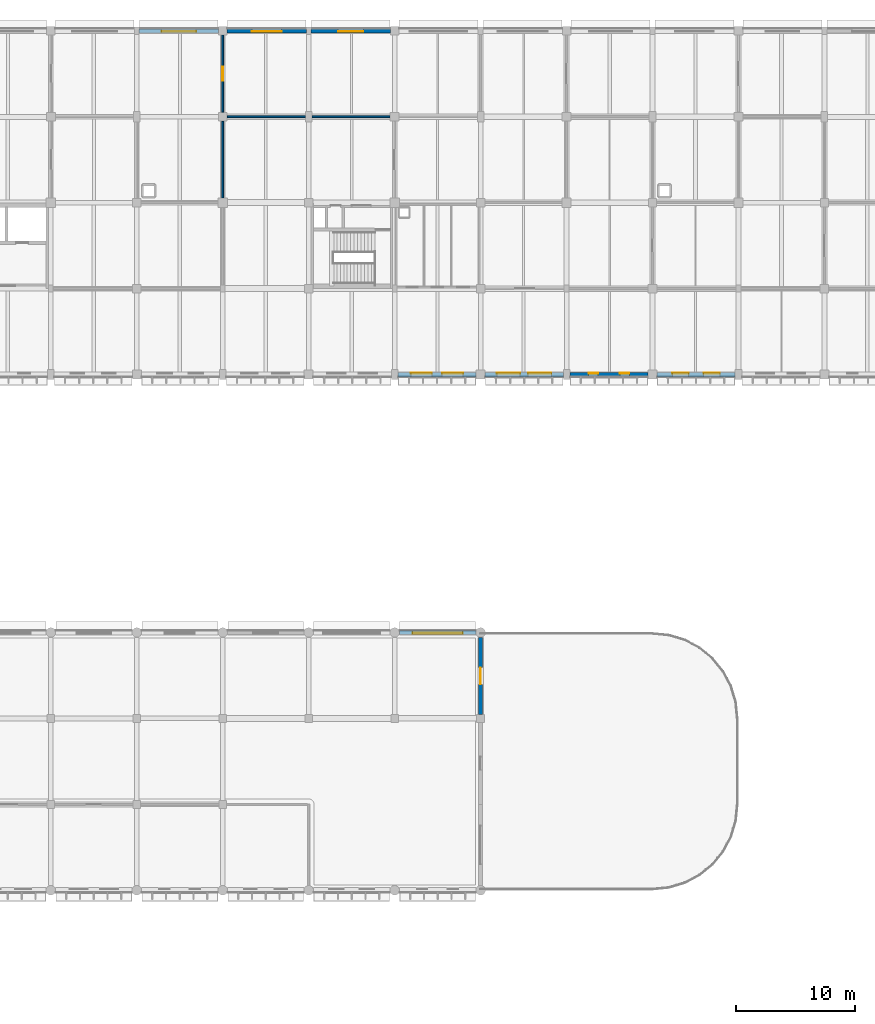
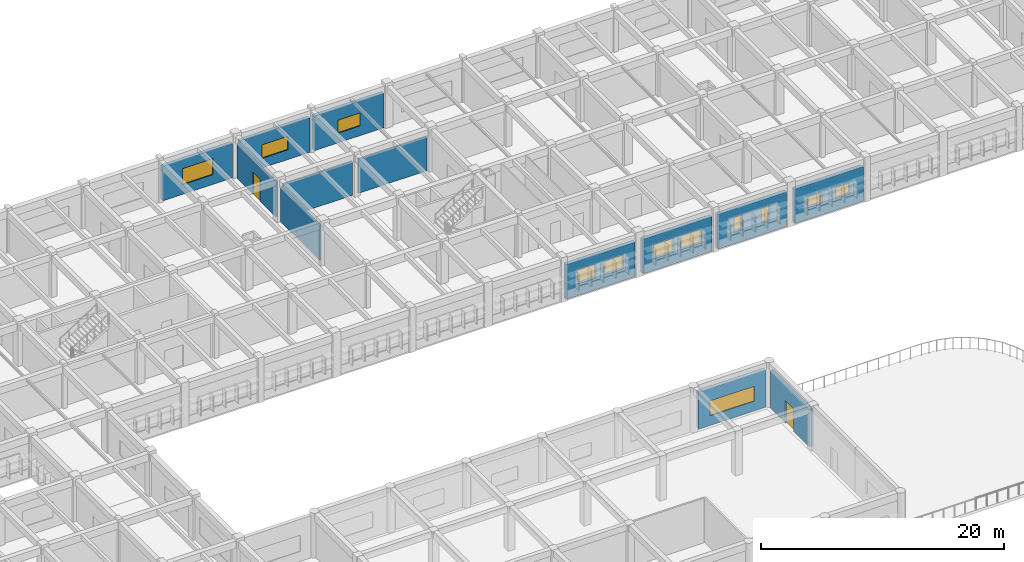
# One storey, part 46 of 61: 13 walls, 12 windows, 2 doors, 14 openings.
"""IFC4 building model written with IfcOpenShell, lengths in metres."""

from ifc_helpers import new_model, si_unit, direction, frame, frame_2d, origin, place, context, subcontext, project, spatial, rectangle, extrude, material, layer, layer_set, type_object, element, fill, save


model = new_model("IFC4")

# Units and contexts
model_context = context("Model", 3, precision=1e-05, world=origin(), true_north=direction((0.0, 1.0)))
body_context = subcontext(model_context, "Body", "Model", "MODEL_VIEW")
ifc_project = project(units=[si_unit("LENGTHUNIT", "METRE"), si_unit("AREAUNIT", "SQUARE_METRE"), si_unit("VOLUMEUNIT", "CUBIC_METRE"), si_unit("PLANEANGLEUNIT", "RADIAN"), si_unit("MASSUNIT", "GRAM", prefix="KILO")], contexts=[model_context])

# Site, building, storey
site_placement = place(None, origin())
site = spatial("IfcSite", under=ifc_project, at=site_placement, CompositionType="ELEMENT")
building_placement = place(site_placement, origin())
building = spatial("IfcBuilding", under=site, at=building_placement, Name="Thalmaran Polytechnic", CompositionType="ELEMENT")
storey_placement = place(building_placement, frame((0.0, 0.0, 9.89990234375)))
storey = spatial("IfcBuildingStorey", under=building, at=storey_placement, Name="L02", CompositionType="ELEMENT", Elevation=9.89990234375)

# Wall, openings, windows
ifc_material_1 = material(Name="Precast concrete C40/50", Category="concrete")
ifc_layer_1 = layer(ifc_material_1, 0.360107421875, Name="Precast concrete C40/50")
ifc_layer_set_1 = layer_set([ifc_layer_1], Name="Precast concrete C40/50")
wall_type_1 = type_object("IfcWallType", Name="WL-EW01", PredefinedType="STANDARD", material=ifc_layer_set_1)
wall_1_placement = place(storey_placement, frame((93.324951171875, 93.60009765625, 0.0), z_axis=(0.0, 0.0, 1.0), x_axis=(-1.0, 0.0, 0.0)))
wall_1 = element("IfcWall", 1, at=wall_1_placement, inside=storey, type_object=wall_type_1, Name="Exterior Precast Facade Wall L02-099", PredefinedType="STANDARD", context=body_context, shape_type="SweptSolid", body=[
    extrude(rectangle(XDim=6.550048828125, YDim=0.360107421875, at=frame_2d((3.27490234375, 0.0))), origin(), (0.0, 0.0, 1.0), 3.47021484375),
])
opening_1_placement = place(wall_1_placement, frame((1.2900390625, 0.0, 1.14990234375)))
opening_1 = element("IfcOpeningElement", 2, at=opening_1_placement, cuts=wall_1, Name="Opening PW15", PredefinedType="OPENING", context=body_context, shape_type="SweptSolid", body=[
    extrude(rectangle(XDim=1.35009765625, YDim=1.10009765625, at=frame_2d((0.675048828125, 0.550048828125))), frame((0.0, 0.18994140625, 0.0), z_axis=(0.0, -1.0, 0.0), x_axis=(1.0, 0.0, 0.0)), (0.0, 0.0, 1.0), 0.380126953125),
])
opening_2_placement = place(wall_1_placement, frame((3.909912109375, 0.0, 1.14990234375)))
opening_2 = element("IfcOpeningElement", 3, at=opening_2_placement, cuts=wall_1, Name="Opening PW15", PredefinedType="OPENING", context=body_context, shape_type="SweptSolid", body=[
    extrude(rectangle(XDim=1.35009765625, YDim=1.10009765625, at=frame_2d((0.675048828125, 0.550048828125))), frame((0.0, 0.18994140625, 0.0), z_axis=(0.0, -1.0, 0.0), x_axis=(1.0, 0.0, 0.0)), (0.0, 0.0, 1.0), 0.380126953125),
])
ifc_material_2 = material(Name="Thermally broken aluminium and double low-E glass", Category="aluminium")
window_type_1 = type_object("IfcWindowType", Name="WN-PW05", PartitioningType="SINGLE_PANEL", PredefinedType="WINDOW", material=ifc_material_2)
window_1_placement = place(opening_1_placement, origin())
window_1 = element("IfcWindow", 4, at=window_1_placement, inside=storey, type_object=window_type_1, Name="Deep-Set Solar-Screened Window W-0298", OverallHeight=1.10009765625, OverallWidth=1.35009765625, PartitioningType="SINGLE_PANEL", PredefinedType="WINDOW", context=body_context, shape_type="SweptSolid", body=[
    extrude(rectangle(XDim=1.35009765625, YDim=1.10009765625, at=frame_2d((0.675048828125, 0.550048828125))), frame((0.0, -0.080078125, 0.0), z_axis=(0.0, -1.0, 0.0), x_axis=(1.0, 0.0, 0.0)), (0.0, 0.0, 1.0), 0.06005859375),
])
fill(opening_1, window_1)
window_2_placement = place(opening_2_placement, origin())
window_2 = element("IfcWindow", 5, at=window_2_placement, inside=storey, type_object=window_type_1, Name="Deep-Set Solar-Screened Window W-0299", OverallHeight=1.10009765625, OverallWidth=1.35009765625, PartitioningType="SINGLE_PANEL", PredefinedType="WINDOW", context=body_context, shape_type="SweptSolid", body=[
    extrude(rectangle(XDim=1.35009765625, YDim=1.10009765625, at=frame_2d((0.675048828125, 0.550048828125))), frame((0.0, -0.080078125, 0.0), z_axis=(0.0, -1.0, 0.0), x_axis=(1.0, 0.0, 0.0)), (0.0, 0.0, 1.0), 0.06005859375),
])
fill(opening_2, window_2)

wall_2_placement = place(storey_placement, frame((86.02490234375, 93.60009765625, 0.0), z_axis=(0.0, 0.0, 1.0), x_axis=(-1.0, 0.0, 0.0)))
wall_2 = element("IfcWall", 6, at=wall_2_placement, inside=storey, type_object=wall_type_1, Name="Exterior Precast Facade Wall L02-100", PredefinedType="STANDARD", context=body_context, shape_type="SweptSolid", body=[
    extrude(rectangle(XDim=6.5498046875, YDim=0.360107421875, at=frame_2d((3.27490234375, 0.0))), origin(), (0.0, 0.0, 1.0), 3.47021484375),
])
opening_3_placement = place(wall_2_placement, frame((1.56494140625, 0.0, 1.14990234375)))
opening_3 = element("IfcOpeningElement", 7, at=opening_3_placement, cuts=wall_2, Name="Opening PW16", PredefinedType="OPENING", context=body_context, shape_type="SweptSolid", body=[
    extrude(rectangle(XDim=0.800048828125, YDim=1.5, at=frame_2d((0.39990234375, 0.75))), frame((0.0, 0.18994140625, 0.0), z_axis=(0.0, -1.0, 0.0), x_axis=(1.0, 0.0, 0.0)), (0.0, 0.0, 1.0), 0.380126953125),
])
opening_4_placement = place(wall_2_placement, frame((4.18505859375, 0.0, 1.14990234375)))
opening_4 = element("IfcOpeningElement", 8, at=opening_4_placement, cuts=wall_2, Name="Opening PW16", PredefinedType="OPENING", context=body_context, shape_type="SweptSolid", body=[
    extrude(rectangle(XDim=0.800048828125, YDim=1.5, at=frame_2d((0.39990234375, 0.75))), frame((0.0, 0.18994140625, 0.0), z_axis=(0.0, -1.0, 0.0), x_axis=(1.0, 0.0, 0.0)), (0.0, 0.0, 1.0), 0.380126953125),
])
window_type_2 = type_object("IfcWindowType", Name="WN-PW06", PartitioningType="SINGLE_PANEL", PredefinedType="WINDOW", material=ifc_material_2)
window_3_placement = place(opening_3_placement, origin())
window_3 = element("IfcWindow", 9, at=window_3_placement, inside=storey, type_object=window_type_2, Name="Deep-Set Solar-Screened Window W-0300", OverallHeight=1.5, OverallWidth=0.800048828125, PartitioningType="SINGLE_PANEL", PredefinedType="WINDOW", context=body_context, shape_type="SweptSolid", body=[
    extrude(rectangle(XDim=0.800048828125, YDim=1.5, at=frame_2d((0.39990234375, 0.75))), frame((0.0, -0.080078125, 0.0), z_axis=(0.0, -1.0, 0.0), x_axis=(1.0, 0.0, 0.0)), (0.0, 0.0, 1.0), 0.06005859375),
])
fill(opening_3, window_3)
window_4_placement = place(opening_4_placement, origin())
window_4 = element("IfcWindow", 10, at=window_4_placement, inside=storey, type_object=window_type_2, Name="Deep-Set Solar-Screened Window W-0301", OverallHeight=1.5, OverallWidth=0.800048828125, PartitioningType="SINGLE_PANEL", PredefinedType="WINDOW", context=body_context, shape_type="SweptSolid", body=[
    extrude(rectangle(XDim=0.800048828125, YDim=1.5, at=frame_2d((0.39990234375, 0.75))), frame((0.0, -0.080078125, 0.0), z_axis=(0.0, -1.0, 0.0), x_axis=(1.0, 0.0, 0.0)), (0.0, 0.0, 1.0), 0.06005859375),
])
fill(opening_4, window_4)

wall_3_placement = place(storey_placement, frame((78.925048828125, 93.60009765625, 0.0), z_axis=(0.0, 0.0, 1.0), x_axis=(-1.0, 0.0, 0.0)))
wall_3 = element("IfcWall", 11, at=wall_3_placement, inside=storey, type_object=wall_type_1, Name="Exterior Precast Facade Wall L02-101", PredefinedType="STANDARD", context=body_context, shape_type="SweptSolid", body=[
    extrude(rectangle(XDim=6.550048828125, YDim=0.360107421875, at=frame_2d((3.27490234375, 0.0))), origin(), (0.0, 0.0, 1.0), 3.47021484375),
])
opening_5_placement = place(wall_3_placement, frame((0.989990234375, 0.0, 1.14990234375)))
opening_5 = element("IfcOpeningElement", 12, at=opening_5_placement, cuts=wall_3, Name="Opening VW07", PredefinedType="OPENING", context=body_context, shape_type="SweptSolid", body=[
    extrude(rectangle(XDim=1.949951171875, YDim=1.39990234375, at=frame_2d((0.97509765625, 0.699951171875))), frame((0.0, 0.18994140625, 0.0), z_axis=(0.0, -1.0, 0.0), x_axis=(1.0, 0.0, 0.0)), (0.0, 0.0, 1.0), 0.380126953125),
])
opening_6_placement = place(wall_3_placement, frame((3.610107421875, 0.0, 1.14990234375)))
opening_6 = element("IfcOpeningElement", 13, at=opening_6_placement, cuts=wall_3, Name="Opening VW07", PredefinedType="OPENING", context=body_context, shape_type="SweptSolid", body=[
    extrude(rectangle(XDim=1.949951171875, YDim=1.39990234375, at=frame_2d((0.97509765625, 0.699951171875))), frame((0.0, 0.18994140625, 0.0), z_axis=(0.0, -1.0, 0.0), x_axis=(1.0, 0.0, 0.0)), (0.0, 0.0, 1.0), 0.380126953125),
])
window_type_3 = type_object("IfcWindowType", Name="WN-VZ07", PartitioningType="SINGLE_PANEL", PredefinedType="WINDOW", material=ifc_material_2)
window_5_placement = place(opening_5_placement, origin())
window_5 = element("IfcWindow", 14, at=window_5_placement, inside=storey, type_object=window_type_3, Name="Deep-Set Solar-Screened Window W-0302", OverallHeight=1.39990234375, OverallWidth=1.949951171875, PartitioningType="SINGLE_PANEL", PredefinedType="WINDOW", context=body_context, shape_type="SweptSolid", body=[
    extrude(rectangle(XDim=1.949951171875, YDim=1.39990234375, at=frame_2d((0.97509765625, 0.699951171875))), frame((0.0, -0.080078125, 0.0), z_axis=(0.0, -1.0, 0.0), x_axis=(1.0, 0.0, 0.0)), (0.0, 0.0, 1.0), 0.06005859375),
])
fill(opening_5, window_5)
window_6_placement = place(opening_6_placement, origin())
window_6 = element("IfcWindow", 15, at=window_6_placement, inside=storey, type_object=window_type_3, Name="Deep-Set Solar-Screened Window W-0303", OverallHeight=1.39990234375, OverallWidth=1.949951171875, PartitioningType="SINGLE_PANEL", PredefinedType="WINDOW", context=body_context, shape_type="SweptSolid", body=[
    extrude(rectangle(XDim=1.949951171875, YDim=1.39990234375, at=frame_2d((0.97509765625, 0.699951171875))), frame((0.0, -0.080078125, 0.0), z_axis=(0.0, -1.0, 0.0), x_axis=(1.0, 0.0, 0.0)), (0.0, 0.0, 1.0), 0.06005859375),
])
fill(opening_6, window_6)

wall_4_placement = place(storey_placement, frame((71.625, 93.60009765625, 0.0), z_axis=(0.0, 0.0, 1.0), x_axis=(-1.0, 0.0, 0.0)))
wall_4 = element("IfcWall", 16, at=wall_4_placement, inside=storey, type_object=wall_type_1, Name="Exterior Precast Facade Wall L02-102", PredefinedType="STANDARD", context=body_context, shape_type="SweptSolid", body=[
    extrude(rectangle(XDim=6.550048828125, YDim=0.360107421875, at=frame_2d((3.27490234375, 0.0))), origin(), (0.0, 0.0, 1.0), 3.47021484375),
])
opening_7_placement = place(wall_4_placement, frame((1.090087890625, 0.0, 1.14990234375)))
opening_7 = element("IfcOpeningElement", 17, at=opening_7_placement, cuts=wall_4, Name="Opening VW08", PredefinedType="OPENING", context=body_context, shape_type="SweptSolid", body=[
    extrude(rectangle(XDim=1.75, YDim=1.39990234375, at=frame_2d((0.875, 0.699951171875))), frame((0.0, 0.18994140625, 0.0), z_axis=(0.0, -1.0, 0.0), x_axis=(1.0, 0.0, 0.0)), (0.0, 0.0, 1.0), 0.380126953125),
])
opening_8_placement = place(wall_4_placement, frame((3.7099609375, 0.0, 1.14990234375)))
opening_8 = element("IfcOpeningElement", 18, at=opening_8_placement, cuts=wall_4, Name="Opening VW08", PredefinedType="OPENING", context=body_context, shape_type="SweptSolid", body=[
    extrude(rectangle(XDim=1.75, YDim=1.39990234375, at=frame_2d((0.875, 0.699951171875))), frame((0.0, 0.18994140625, 0.0), z_axis=(0.0, -1.0, 0.0), x_axis=(1.0, 0.0, 0.0)), (0.0, 0.0, 1.0), 0.380126953125),
])
window_type_4 = type_object("IfcWindowType", Name="WN-VZ08", PartitioningType="SINGLE_PANEL", PredefinedType="WINDOW", material=ifc_material_2)
window_7_placement = place(opening_7_placement, origin())
window_7 = element("IfcWindow", 19, at=window_7_placement, inside=storey, type_object=window_type_4, Name="Deep-Set Solar-Screened Window W-0304", OverallHeight=1.39990234375, OverallWidth=1.75, PartitioningType="SINGLE_PANEL", PredefinedType="WINDOW", context=body_context, shape_type="SweptSolid", body=[
    extrude(rectangle(XDim=1.75, YDim=1.39990234375, at=frame_2d((0.875, 0.699951171875))), frame((0.0, -0.080078125, 0.0), z_axis=(0.0, -1.0, 0.0), x_axis=(1.0, 0.0, 0.0)), (0.0, 0.0, 1.0), 0.06005859375),
])
fill(opening_7, window_7)
window_8_placement = place(opening_8_placement, origin())
window_8 = element("IfcWindow", 20, at=window_8_placement, inside=storey, type_object=window_type_4, Name="Deep-Set Solar-Screened Window W-0305", OverallHeight=1.39990234375, OverallWidth=1.75, PartitioningType="SINGLE_PANEL", PredefinedType="WINDOW", context=body_context, shape_type="SweptSolid", body=[
    extrude(rectangle(XDim=1.75, YDim=1.39990234375, at=frame_2d((0.875, 0.699951171875))), frame((0.0, -0.080078125, 0.0), z_axis=(0.0, -1.0, 0.0), x_axis=(1.0, 0.0, 0.0)), (0.0, 0.0, 1.0), 0.06005859375),
])
fill(opening_8, window_8)

# Wall, opening, window
ifc_layer_2 = layer(ifc_material_1, 0.330078125, Name="Precast concrete C40/50")
ifc_layer_set_2 = layer_set([ifc_layer_2], Name="Precast concrete C40/50")
wall_type_2 = type_object("IfcWallType", Name="WL-EW02", PredefinedType="STANDARD", material=ifc_layer_set_2)
wall_5_placement = place(storey_placement, frame((43.39990234375, 122.39990234375, 0.0), z_axis=(0.0, 0.0, 1.0), x_axis=(1.0, 0.0, 0.0)))
wall_5 = element("IfcWall", 21, at=wall_5_placement, inside=storey, type_object=wall_type_2, Name="Exterior Precast Facade Wall L02-034", PredefinedType="STANDARD", context=body_context, shape_type="SweptSolid", body=[
    extrude(rectangle(XDim=6.64013671875, YDim=0.330078125, at=frame_2d((3.320068359375, 0.0))), origin(), (0.0, 0.0, 1.0), 3.47021484375),
])
opening_9_placement = place(wall_5_placement, frame((1.8701171875, 0.0, 0.97998046875)))
opening_9 = element("IfcOpeningElement", 22, at=opening_9_placement, cuts=wall_5, Name="Opening VW18", PredefinedType="OPENING", context=body_context, shape_type="SweptSolid", body=[
    extrude(rectangle(XDim=2.89990234375, YDim=1.60009765625, at=frame_2d((1.449951171875, 0.800048828125))), frame((0.0, 0.175048828125, 0.0), z_axis=(0.0, -1.0, 0.0), x_axis=(1.0, 0.0, 0.0)), (0.0, 0.0, 1.0), 0.35009765625),
])
window_type_5 = type_object("IfcWindowType", Name="WN-VZ18", PartitioningType="DOUBLE_PANEL_VERTICAL", PredefinedType="WINDOW", material=ifc_material_2)
window_9_placement = place(opening_9_placement, origin())
window_9 = element("IfcWindow", 23, at=window_9_placement, inside=storey, type_object=window_type_5, Name="Streamline Ribbon Window W-0234", OverallHeight=1.60009765625, OverallWidth=2.89990234375, PartitioningType="SINGLE_PANEL", PredefinedType="WINDOW", context=body_context, shape_type="SweptSolid", body=[
    extrude(rectangle(XDim=2.89990234375, YDim=1.60009765625, at=frame_2d((1.449951171875, 0.800048828125))), frame((0.0, -0.030029296875, 0.0), z_axis=(0.0, -1.0, 0.0), x_axis=(1.0, 0.0, 0.0)), (0.0, 0.0, 1.0), 0.06005859375),
])
fill(opening_9, window_9)

wall_6_placement = place(storey_placement, frame((50.760009765625, 122.39990234375, 0.0), z_axis=(0.0, 0.0, 1.0), x_axis=(1.0, 0.0, 0.0)))
wall_6 = element("IfcWall", 24, at=wall_6_placement, inside=storey, type_object=wall_type_2, Name="Exterior Precast Facade Wall L02-035", PredefinedType="STANDARD", context=body_context, shape_type="SweptSolid", body=[
    extrude(rectangle(XDim=6.639892578125, YDim=0.330078125, at=frame_2d((3.31982421875, 0.0))), origin(), (0.0, 0.0, 1.0), 3.47021484375),
])
opening_10_placement = place(wall_6_placement, frame((2.070068359375, 0.0, 0.97998046875)))
opening_10 = element("IfcOpeningElement", 25, at=opening_10_placement, cuts=wall_6, Name="Opening VW19", PredefinedType="OPENING", context=body_context, shape_type="SweptSolid", body=[
    extrude(rectangle(XDim=2.5, YDim=1.35009765625, at=frame_2d((1.25, 0.675048828125))), frame((0.0, 0.175048828125, 0.0), z_axis=(0.0, -1.0, 0.0), x_axis=(1.0, 0.0, 0.0)), (0.0, 0.0, 1.0), 0.35009765625),
])
window_type_6 = type_object("IfcWindowType", Name="WN-VZ19", PartitioningType="DOUBLE_PANEL_VERTICAL", PredefinedType="WINDOW", material=ifc_material_2)
window_10_placement = place(opening_10_placement, origin())
window_10 = element("IfcWindow", 26, at=window_10_placement, inside=storey, type_object=window_type_6, Name="Streamline Ribbon Window W-0235", OverallHeight=1.35009765625, OverallWidth=2.5, PartitioningType="SINGLE_PANEL", PredefinedType="WINDOW", context=body_context, shape_type="SweptSolid", body=[
    extrude(rectangle(XDim=2.5, YDim=1.35009765625, at=frame_2d((1.25, 0.675048828125))), frame((0.0, -0.030029296875, 0.0), z_axis=(0.0, -1.0, 0.0), x_axis=(1.0, 0.0, 0.0)), (0.0, 0.0, 1.0), 0.06005859375),
])
fill(opening_10, window_10)

wall_7_placement = place(storey_placement, frame((57.800048828125, 122.39990234375, 0.0), z_axis=(0.0, 0.0, 1.0), x_axis=(1.0, 0.0, 0.0)))
wall_7 = element("IfcWall", 27, at=wall_7_placement, inside=storey, type_object=wall_type_2, Name="Exterior Precast Facade Wall L02-036", PredefinedType="STANDARD", context=body_context, shape_type="SweptSolid", body=[
    extrude(rectangle(XDim=6.639892578125, YDim=0.330078125, at=frame_2d((3.31982421875, 0.0))), origin(), (0.0, 0.0, 1.0), 3.47021484375),
])
opening_11_placement = place(wall_7_placement, frame((2.27001953125, 0.0, 0.97998046875)))
opening_11 = element("IfcOpeningElement", 28, at=opening_11_placement, cuts=wall_7, Name="Opening VW20", PredefinedType="OPENING", context=body_context, shape_type="SweptSolid", body=[
    extrude(rectangle(XDim=2.10009765625, YDim=1.300048828125, at=frame_2d((1.050048828125, 0.64990234375))), frame((0.0, 0.175048828125, 0.0), z_axis=(0.0, -1.0, 0.0), x_axis=(1.0, 0.0, 0.0)), (0.0, 0.0, 1.0), 0.35009765625),
])
window_type_7 = type_object("IfcWindowType", Name="WN-VZ20", PartitioningType="SINGLE_PANEL", PredefinedType="WINDOW", material=ifc_material_2)
window_11_placement = place(opening_11_placement, origin())
window_11 = element("IfcWindow", 29, at=window_11_placement, inside=storey, type_object=window_type_7, Name="Streamline Ribbon Window W-0236", OverallHeight=1.300048828125, OverallWidth=2.10009765625, PartitioningType="SINGLE_PANEL", PredefinedType="WINDOW", context=body_context, shape_type="SweptSolid", body=[
    extrude(rectangle(XDim=2.10009765625, YDim=1.300048828125, at=frame_2d((1.050048828125, 0.64990234375))), frame((0.0, -0.030029296875, 0.0), z_axis=(0.0, -1.0, 0.0), x_axis=(1.0, 0.0, 0.0)), (0.0, 0.0, 1.0), 0.06005859375),
])
fill(opening_11, window_11)

wall_8_placement = place(storey_placement, frame((65.199951171875, 72.0, 0.0), z_axis=(0.0, 0.0, 1.0), x_axis=(1.0, 0.0, 0.0)))
wall_8 = element("IfcWall", 30, at=wall_8_placement, inside=storey, type_object=wall_type_2, Name="Exterior Precast Facade Wall L02-118", PredefinedType="STANDARD", context=body_context, shape_type="SweptSolid", body=[
    extrude(rectangle(XDim=6.400146484375, YDim=0.330078125, at=frame_2d((3.2001953125, 0.0))), origin(), (0.0, 0.0, 1.0), 3.7451171875),
])
opening_12_placement = place(wall_8_placement, frame((1.10009765625, 0.0, 0.97998046875)))
opening_12 = element("IfcOpeningElement", 31, at=opening_12_placement, cuts=wall_8, Name="Opening RW02", PredefinedType="OPENING", context=body_context, shape_type="SweptSolid", body=[
    extrude(rectangle(XDim=4.199951171875, YDim=1.5, at=frame_2d((2.10009765625, 0.75))), frame((0.0, 0.175048828125, 0.0), z_axis=(0.0, -1.0, 0.0), x_axis=(1.0, 0.0, 0.0)), (0.0, 0.0, 1.0), 0.35009765625),
])
window_type_8 = type_object("IfcWindowType", Name="WN-RW02", PartitioningType="TRIPLE_PANEL_HORIZONTAL", PredefinedType="WINDOW", material=ifc_material_2)
window_12_placement = place(opening_12_placement, origin())
window_12 = element("IfcWindow", 32, at=window_12_placement, inside=storey, type_object=window_type_8, Name="Streamline Ribbon Window W-0327", OverallHeight=1.5, OverallWidth=4.199951171875, PartitioningType="SINGLE_PANEL", PredefinedType="WINDOW", context=body_context, shape_type="SweptSolid", body=[
    extrude(rectangle(XDim=4.199951171875, YDim=1.5, at=frame_2d((2.10009765625, 0.75))), frame((0.0, -0.030029296875, 0.0), z_axis=(0.0, -1.0, 0.0), x_axis=(1.0, 0.0, 0.0)), (0.0, 0.0, 1.0), 0.06005859375),
])
fill(opening_12, window_12)

# Wall, opening, door
wall_9_placement = place(storey_placement, frame((72.0, 71.60009765625, 0.0), z_axis=(0.0, 0.0, 1.0), x_axis=(0.0, -1.0, 0.0)))
wall_9 = element("IfcWall", 33, at=wall_9_placement, inside=storey, type_object=wall_type_2, Name="Terrace Access Wall L02-119", PredefinedType="STANDARD", context=body_context, shape_type="SweptSolid", body=[
    extrude(rectangle(XDim=6.47509765625, YDim=0.330078125, at=frame_2d((3.237548828125, 0.0))), origin(), (0.0, 0.0, 1.0), 3.7451171875),
])
opening_13_placement = place(wall_9_placement, frame((2.53759765625, 0.0, 0.0)))
opening_13 = element("IfcOpeningElement", 34, at=opening_13_placement, cuts=wall_9, Name="Opening TD-001", PredefinedType="OPENING", context=body_context, shape_type="SweptSolid", body=[
    extrude(rectangle(XDim=1.39990234375, YDim=2.25, at=frame_2d((0.699951171875, 1.125))), frame((0.0, 0.175048828125, 0.0), z_axis=(0.0, -1.0, 0.0), x_axis=(1.0, 0.0, 0.0)), (0.0, 0.0, 1.0), 0.35009765625),
])
ifc_material_3 = material(Name="Anodised aluminium and safety glass", Category="aluminium")
door_type_1 = type_object("IfcDoorType", Name="DR-TD01", OperationType="NOTDEFINED", PredefinedType="DOOR", material=ifc_material_3)
door_1_placement = place(opening_13_placement, origin())
door_1 = element("IfcDoor", 35, at=door_1_placement, inside=storey, type_object=door_type_1, Name="Terrace Access Door TD-001", OperationType="SINGLE_SWING_LEFT", OverallHeight=2.25, OverallWidth=1.39990234375, PredefinedType="DOOR", context=body_context, shape_type="SweptSolid", body=[
    extrude(rectangle(XDim=1.39990234375, YDim=2.25, at=frame_2d((0.699951171875, 1.125))), frame((0.0, 0.02490234375, 0.0), z_axis=(0.0, -1.0, 0.0), x_axis=(1.0, 0.0, 0.0)), (0.0, 0.0, 1.0), 0.050048828125),
])
fill(opening_13, door_1)

# Walls
ifc_material_4 = material(Name="Gypsum acoustic partition")
ifc_layer_3 = layer(ifc_material_4, 0.14501953125, Name="Gypsum acoustic partition")
ifc_layer_set_3 = layer_set([ifc_layer_3], Name="Gypsum acoustic partition")
wall_type_3 = type_object("IfcWallType", Name="WL-IW06", PredefinedType="PARTITIONING", material=ifc_layer_set_3)
wall_10_placement = place(storey_placement, frame((50.39990234375, 108.39501953125, 0.0), z_axis=(0.0, 0.0, 1.0), x_axis=(0.0, 1.0, 0.0)))
element("IfcWall", 36, at=wall_10_placement, inside=storey, type_object=wall_type_3, Name="Interior Partition IW06 L02-065", PredefinedType="PARTITIONING", context=body_context, shape_type="SweptSolid", body=[
    extrude(rectangle(XDim=6.425048828125, YDim=0.14501953125, at=frame_2d((3.21240234375, 0.0))), origin(), (0.0, 0.0, 1.0), 3.53515625),
])
wall_11_placement = place(storey_placement, frame((50.780029296875, 115.199951171875, 0.0), z_axis=(0.0, 0.0, 1.0), x_axis=(1.0, 0.0, 0.0)))
element("IfcWall", 37, at=wall_11_placement, inside=storey, type_object=wall_type_3, Name="Interior Partition IW06 L02-073", PredefinedType="PARTITIONING", context=body_context, shape_type="SweptSolid", body=[
    extrude(rectangle(XDim=6.5400390625, YDim=0.14501953125, at=frame_2d((3.27001953125, 0.0))), origin(), (0.0, 0.0, 1.0), 3.425048828125),
])
wall_12_placement = place(storey_placement, frame((57.8798828125, 115.199951171875, 0.0), z_axis=(0.0, 0.0, 1.0), x_axis=(1.0, 0.0, 0.0)))
element("IfcWall", 38, at=wall_12_placement, inside=storey, type_object=wall_type_3, Name="Interior Partition IW06 L02-076", PredefinedType="PARTITIONING", context=body_context, shape_type="SweptSolid", body=[
    extrude(rectangle(XDim=6.5400390625, YDim=0.14501953125, at=frame_2d((3.27001953125, 0.0))), origin(), (0.0, 0.0, 1.0), 3.445068359375),
])

# Wall, opening, door
ifc_layer_4 = layer(ifc_material_4, 0.1298828125, Name="Gypsum acoustic partition")
ifc_layer_set_4 = layer_set([ifc_layer_4], Name="Gypsum acoustic partition")
wall_type_4 = type_object("IfcWallType", Name="WL-IW07", PredefinedType="PARTITIONING", material=ifc_layer_set_4)
wall_13_placement = place(storey_placement, frame((50.39990234375, 115.580078125, 0.0), z_axis=(0.0, 0.0, 1.0), x_axis=(0.0, 1.0, 0.0)))
wall_13 = element("IfcWall", 39, at=wall_13_placement, inside=storey, type_object=wall_type_4, Name="Interior Partition IW07 L02-066", PredefinedType="PARTITIONING", context=body_context, shape_type="SweptSolid", body=[
    extrude(rectangle(XDim=6.454833984375, YDim=0.1298828125, at=frame_2d((3.2275390625, 0.0))), origin(), (0.0, 0.0, 1.0), 3.530029296875),
])
opening_14_placement = place(wall_13_placement, frame((2.637451171875, 0.0, 0.0)))
opening_14 = element("IfcOpeningElement", 40, at=opening_14_placement, cuts=wall_13, Name="Opening D-L02-021-2-08-1", PredefinedType="OPENING", context=body_context, shape_type="SweptSolid", body=[
    extrude(rectangle(XDim=1.179931640625, YDim=2.179931640625, at=frame_2d((0.58984375, 1.08984375))), frame((0.0, 0.074951171875, 0.0), z_axis=(0.0, -1.0, 0.0), x_axis=(1.0, 0.0, 0.0)), (0.0, 0.0, 1.0), 0.14990234375),
])
ifc_material_5 = material(Name="Acoustic hardwood", Category="wood")
door_type_2 = type_object("IfcDoorType", Name="DR-ZD05", OperationType="NOTDEFINED", PredefinedType="DOOR", material=ifc_material_5)
door_2_placement = place(opening_14_placement, origin())
door_2 = element("IfcDoor", 41, at=door_2_placement, inside=storey, type_object=door_type_2, Name="Urban Design Studio L02-08 Door 1", OperationType="SINGLE_SWING_LEFT", OverallHeight=2.179931640625, OverallWidth=1.179931640625, PredefinedType="DOOR", context=body_context, shape_type="SweptSolid", body=[
    extrude(rectangle(XDim=1.179931640625, YDim=2.179931640625, at=frame_2d((0.58984375, 1.08984375))), frame((0.0, 0.02490234375, 0.0), z_axis=(0.0, -1.0, 0.0), x_axis=(1.0, 0.0, 0.0)), (0.0, 0.0, 1.0), 0.050048828125),
])
fill(opening_14, door_2)

save(model, "model.ifc")
